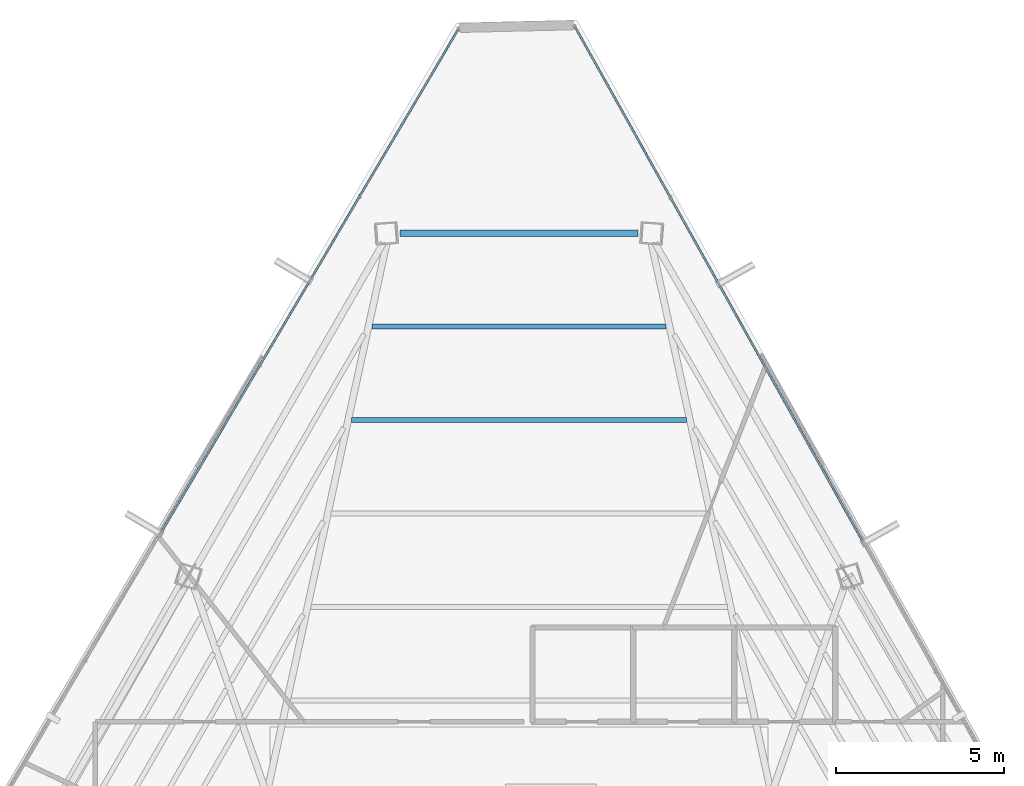
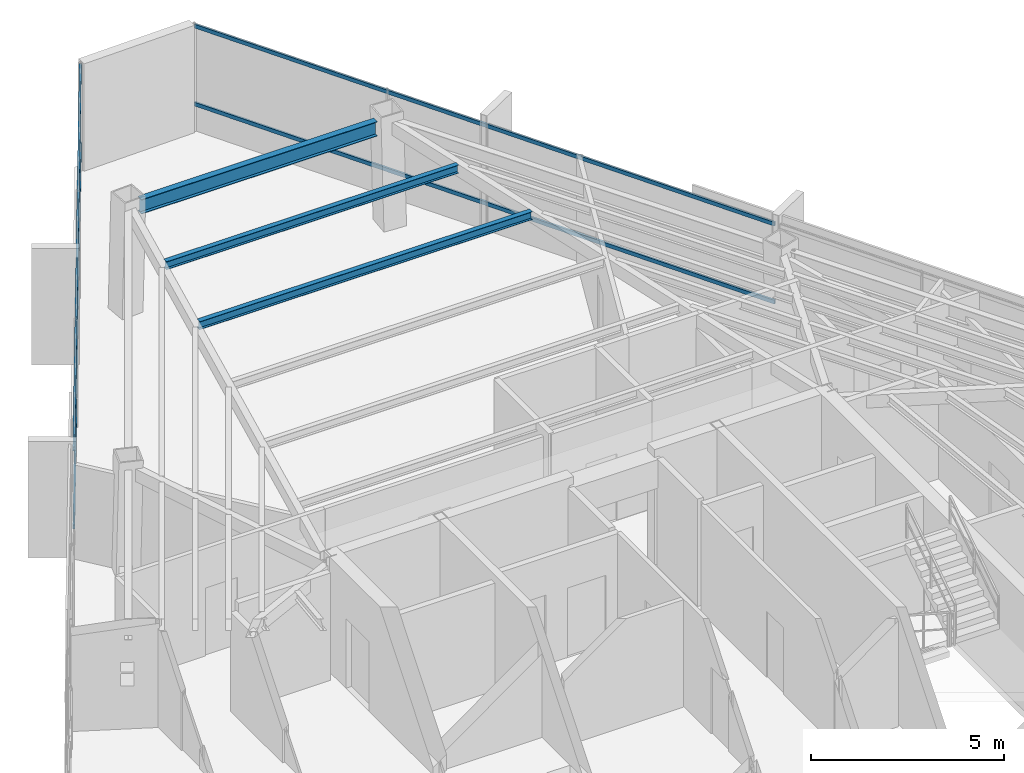
# One storey, part 33 of 46: 4 members, 3 beams, 2 elements without a shape of their own.
"""IFC4 building model written with IfcOpenShell, lengths in metres."""

from ifc_helpers import new_model, si_unit, direction, frame, origin, origin_2d, place, context, subcontext, project, spatial, hollow_rectangle, i_section, extrude, source, transform, mapped, material, material_profile, profile_set, type_object, type_shapes, element, aggregate, save


model = new_model("IFC4")

# Units and contexts
model_context = context("Model", 3, precision=1e-05, world=origin(), true_north=direction((0.0, 1.0)))
body_context = subcontext(model_context, "Body", "Model", "MODEL_VIEW")
ifc_project = project(units=[si_unit("LENGTHUNIT", "METRE"), si_unit("AREAUNIT", "SQUARE_METRE"), si_unit("VOLUMEUNIT", "CUBIC_METRE"), si_unit("PLANEANGLEUNIT", "RADIAN"), si_unit("MASSUNIT", "GRAM", prefix="KILO")], contexts=[model_context])

# Site, building, storey
site_placement = place(None, origin())
site = spatial("IfcSite", under=ifc_project, at=site_placement, CompositionType="ELEMENT")
building_placement = place(site_placement, origin())
building = spatial("IfcBuilding", under=site, at=building_placement, Name="Caelisora Broadcast Tower", CompositionType="ELEMENT")
storey_placement = place(building_placement, frame((0.0, 0.0, 251.75)))
storey = spatial("IfcBuildingStorey", under=building, at=storey_placement, Name="L66", CompositionType="ELEMENT", Elevation=251.75)

# Beams
ifc_material_1 = material(Name="Steel Grade 350 (AS/NZS 3679.1)", Category="steel")
ifc_material_profile_1 = material_profile(ifc_material_1, i_section(OverallWidth=0.19091796875, OverallDepth=0.46044921875, WebThickness=0.010009765625, FlangeThickness=0.01611328125, at=origin_2d()), Name="Steel Grade 350 (AS/NZS 3679.1)")
ifc_profile_set_1 = profile_set([ifc_material_profile_1], Name="Steel Grade 350 (AS/NZS 3679.1)")
beam_type_1 = type_object("IfcBeamType", Name="PG06", PredefinedType="BEAM", material=ifc_profile_set_1)
shared_shape_1 = source(origin(), body_context, "Body", "SweptSolid", [
    extrude(i_section(OverallWidth=0.19091796875, OverallDepth=0.46044921875, WebThickness=0.010009765625, FlangeThickness=0.01611328125, at=origin_2d()), origin(), (0.0, 0.0, 1.0), 7.06396484375),
])
type_shapes(beam_type_1, [shared_shape_1])
beam_1_placement = place(storey_placement, frame((41.531982421875, 46.6728515625, 3.169921875), z_axis=(-1.0, 0.0, 0.0), x_axis=(0.0, -1.0, 0.0)))
element("IfcBeam", 1, at=beam_1_placement, inside=storey, type_object=beam_type_1, Name="L66 beam PG06", PredefinedType="BEAM", context=body_context, shape_type="MappedRepresentation", body=[
    mapped(shared_shape_1, transform((0.0, 0.0, 0.0), scale=1.0)),
])
ifc_material_profile_2 = material_profile(ifc_material_1, i_section(OverallWidth=0.14599609375, OverallDepth=0.256103515625, WebThickness=0.00634765625, FlangeThickness=0.010986328125, at=origin_2d()), Name="Steel Grade 350 (AS/NZS 3679.1)")
ifc_profile_set_2 = profile_set([ifc_material_profile_2], Name="Steel Grade 350 (AS/NZS 3679.1)")
beam_type_2 = type_object("IfcBeamType", Name="SB04", PredefinedType="JOIST", material=ifc_profile_set_2)
shared_shape_2 = source(origin(), body_context, "Body", "SweptSolid", [
    extrude(i_section(OverallWidth=0.14599609375, OverallDepth=0.256103515625, WebThickness=0.00634765625, FlangeThickness=0.010986328125, at=origin_2d()), origin(), (0.0, 0.0, 1.0), 9.96142578125),
])
beam_2_placement = place(storey_placement, frame((42.980712890625, 41.115234375, 3.27197265625), z_axis=(-1.0, 0.0, 0.0), x_axis=(0.0, -1.0, 0.0)))
element("IfcBeam", 2, at=beam_2_placement, inside=storey, type_object=beam_type_2, Name="L66 beam SB04", PredefinedType="JOIST", context=body_context, shape_type="MappedRepresentation", body=[
    mapped(shared_shape_2, transform((0.0, 0.0, 0.0), scale=1.0)),
])
shared_shape_3 = source(origin(), body_context, "Body", "SweptSolid", [
    extrude(i_section(OverallWidth=0.14599609375, OverallDepth=0.256103515625, WebThickness=0.00634765625, FlangeThickness=0.010986328125, at=origin_2d()), origin(), (0.0, 0.0, 1.0), 8.7509765625),
])
type_shapes(beam_type_2, [shared_shape_2, shared_shape_3])
beam_3_placement = place(storey_placement, frame((42.37548828125, 43.89404296875, 3.27197265625), z_axis=(-1.0, 0.0, 0.0), x_axis=(0.0, -1.0, 0.0)))
element("IfcBeam", 3, at=beam_3_placement, inside=storey, type_object=beam_type_2, Name="L66 beam SB04", PredefinedType="JOIST", context=body_context, shape_type="MappedRepresentation", body=[
    mapped(shared_shape_3, transform((0.0, 0.0, 0.0), scale=1.0)),
])

# Curtain wall, members
ifc_material_2 = material(Name="Unitised Aluminium and Low-E Glass Curtain Wall", Category="glass")
curtain_wall_type = type_object("IfcCurtainWallType", Name="CW-Z5", PredefinedType="NOTDEFINED", material=ifc_material_2)
curtain_wall_1_placement = place(storey_placement, origin())
curtain_wall_1 = element("IfcCurtainWall", 4, at=curtain_wall_1_placement, inside=storey, type_object=curtain_wall_type, Name="L66 curtain wall CW-Z5", PredefinedType="NOTDEFINED")
ifc_material_3 = material(Name="Aluminium 6063-T6 Anodised Terracotta Bronze", Category="aluminium")
ifc_material_profile_3 = material_profile(ifc_material_3, hollow_rectangle(XDim=0.06005859375, YDim=0.1201171875, WallThickness=0.0029296875, at=origin_2d()), Name="Aluminium 6063-T6 Anodised Terracotta Bronze")
ifc_profile_set_3 = profile_set([ifc_material_profile_3], Name="Aluminium 6063-T6 Anodised Terracotta Bronze")
member_type = type_object("IfcMemberType", Name="CWT-03", PredefinedType="USERDEFINED", material=ifc_profile_set_3)
shared_shape_4 = source(origin(), body_context, "Body", "SweptSolid", [
    extrude(hollow_rectangle(XDim=0.06005859375, YDim=0.1201171875, WallThickness=0.0029296875, at=origin_2d()), origin(), (0.0, 0.0, 1.0), 17.524658203125),
])
member_1_placement = place(storey_placement, frame((39.659423828125, 52.8154296875, 0.85009765625), z_axis=(0.487985585929, -0.872851687244, 0.0), x_axis=(0.872851687244, 0.487985585929, 0.0)))
member_1 = element("IfcMember", 5, at=member_1_placement, type_object=member_type, Name="L66-CW-B01 transom #1", ObjectType="TRANSOM", PredefinedType="USERDEFINED", context=body_context, shape_type="MappedRepresentation", body=[
    mapped(shared_shape_4, transform((0.0, 0.0, 0.0), scale=1.0)),
])
member_2_placement = place(storey_placement, frame((39.659423828125, 52.8154296875, 3.320068359375), z_axis=(0.487985585929, -0.872851687244, 0.0), x_axis=(0.872851687244, 0.487985585929, 0.0)))
member_2 = element("IfcMember", 6, at=member_2_placement, type_object=member_type, Name="L66-CW-B01 transom #2", ObjectType="TRANSOM", PredefinedType="USERDEFINED", context=body_context, shape_type="MappedRepresentation", body=[
    mapped(shared_shape_4, transform((0.0, 0.0, 0.0), scale=1.0)),
])
aggregate(curtain_wall_1, [member_1, member_2])

curtain_wall_2_placement = place(storey_placement, origin())
curtain_wall_2 = element("IfcCurtainWall", 7, at=curtain_wall_2_placement, inside=storey, type_object=curtain_wall_type, Name="L66 curtain wall CW-Z5", PredefinedType="NOTDEFINED")
shared_shape_5 = source(origin(), body_context, "Body", "SweptSolid", [
    extrude(hollow_rectangle(XDim=0.06005859375, YDim=0.1201171875, WallThickness=0.0029296875, at=origin_2d()), origin(), (0.0, 0.0, 1.0), 17.356689453125),
])
type_shapes(member_type, [shared_shape_4, shared_shape_5])
member_3_placement = place(storey_placement, frame((27.369140625, 37.789794921875, 0.85009765625), z_axis=(0.508417929843, 0.86111045088, 0.0), x_axis=(-0.86111045088, 0.508417929843, 0.0)))
member_3 = element("IfcMember", 8, at=member_3_placement, type_object=member_type, Name="L66-CW-B11 transom #1", ObjectType="TRANSOM", PredefinedType="USERDEFINED", context=body_context, shape_type="MappedRepresentation", body=[
    mapped(shared_shape_5, transform((0.0, 0.0, 0.0), scale=1.0)),
])
member_4_placement = place(storey_placement, frame((27.369140625, 37.789794921875, 3.320068359375), z_axis=(0.508417929843, 0.86111045088, 0.0), x_axis=(-0.86111045088, 0.508417929843, 0.0)))
member_4 = element("IfcMember", 9, at=member_4_placement, type_object=member_type, Name="L66-CW-B11 transom #2", ObjectType="TRANSOM", PredefinedType="USERDEFINED", context=body_context, shape_type="MappedRepresentation", body=[
    mapped(shared_shape_5, transform((0.0, 0.0, 0.0), scale=1.0)),
])
aggregate(curtain_wall_2, [member_3, member_4])

save(model, "model.ifc")
